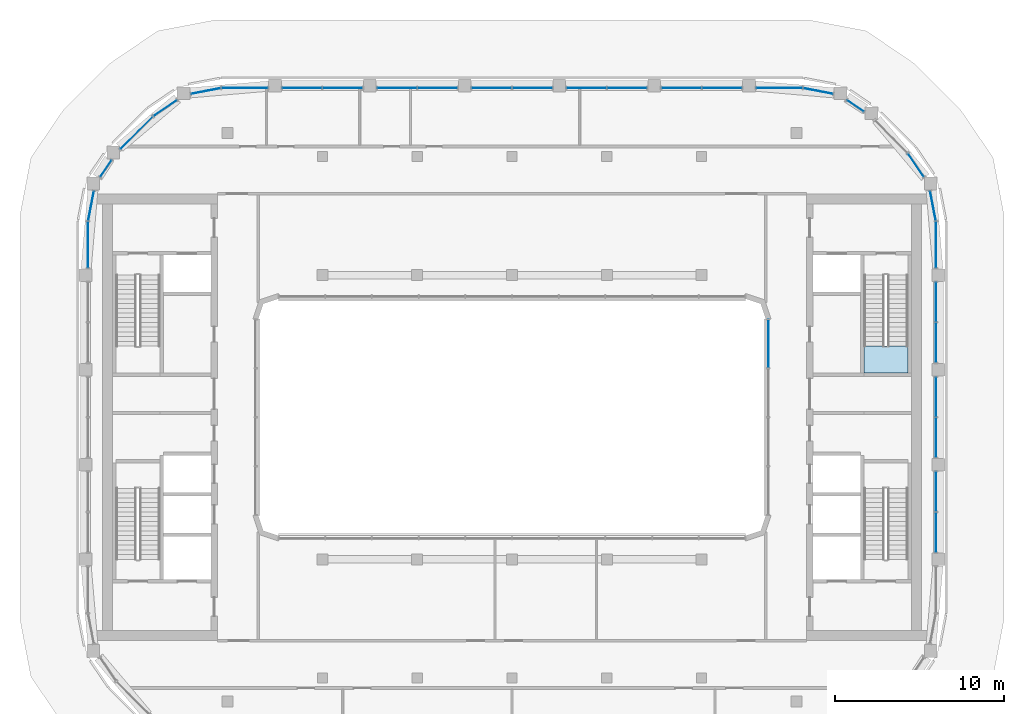
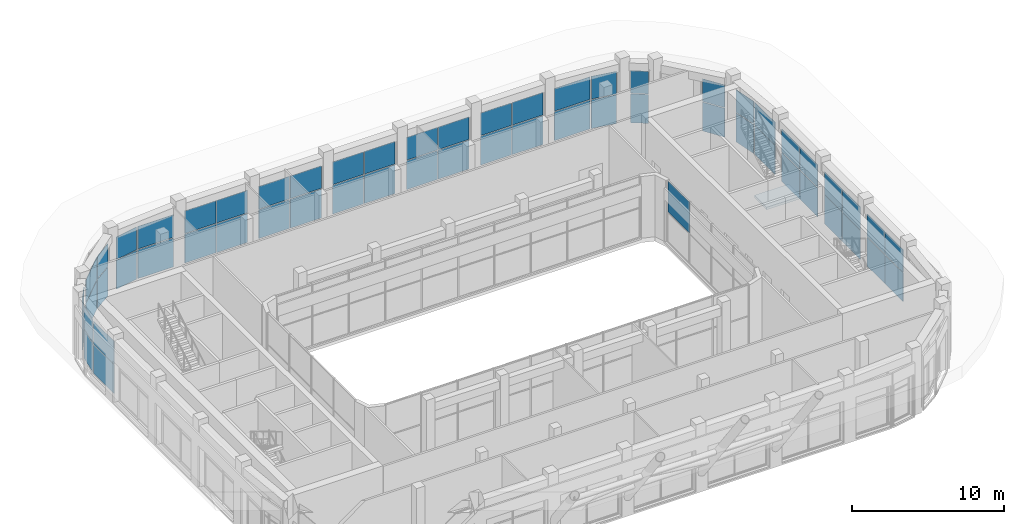
# One storey, part 13 of 24: 59 plates, 1 slab, 23 elements without a shape of their own.
"""IFC4 building model written with IfcOpenShell, lengths in metres."""

from ifc_helpers import new_model, si_unit, direction, frame, origin, origin_2d, place, context, subcontext, project, spatial, polyline, rectangle, outline, extrude, material, layer, layer_set, type_object, element, aggregate, save


model = new_model("IFC4")

# Units and contexts
model_context = context("Model", 3, precision=1e-05, world=origin(), true_north=direction((0.0, 1.0)))
body_context = subcontext(model_context, "Body", "Model", "MODEL_VIEW")
ifc_project = project(units=[si_unit("LENGTHUNIT", "METRE"), si_unit("AREAUNIT", "SQUARE_METRE"), si_unit("VOLUMEUNIT", "CUBIC_METRE"), si_unit("PLANEANGLEUNIT", "RADIAN"), si_unit("MASSUNIT", "GRAM", prefix="KILO")], contexts=[model_context])

# Site, building, storey
site_placement = place(None, origin())
site = spatial("IfcSite", under=ifc_project, at=site_placement, CompositionType="ELEMENT")
building_placement = place(site_placement, origin())
building = spatial("IfcBuilding", under=site, at=building_placement, Name="Kiln Ring Residences", CompositionType="ELEMENT")
storey_placement = place(building_placement, frame((0.0, 0.0, 283.699951171875)))
storey = spatial("IfcBuildingStorey", under=building, at=storey_placement, Name="L74", CompositionType="ELEMENT", Elevation=283.699951171875)

# Stair, slab
ifc_material_1 = material(Name="Concrete C40/50", Category="concrete")
stair_type = type_object("IfcStairType", Name="CORE-STAIR", PredefinedType="HALF_TURN_STAIR", material=ifc_material_1)
placement = place(storey_placement, origin())
stair = element("IfcStair", 1, at=placement, inside=storey, type_object=stair_type, Name="L74 stair E-STN", PredefinedType="HALF_TURN_STAIR")
ifc_material_2 = material(Name="Concrete C40/50", Category="concrete")
ifc_layer_1 = layer(ifc_material_2, 0.199951171875)
ifc_layer_set_1 = layer_set([ifc_layer_1], Name="CORE-STAIR-LANDING")
slab_type = type_object("IfcSlabType", Name="CORE-STAIR-LANDING", PredefinedType="LANDING", material=ifc_layer_set_1)
slab_placement = place(storey_placement, frame((0.0, 0.0, 2.5)))
slab = element("IfcSlab", 2, at=slab_placement, type_object=slab_type, Name="E-STN landing 1", PredefinedType="LANDING", context=body_context, shape_type="SweptSolid", body=[
    extrude(outline(polyline([(20.800048828125, 4.199951171875), (20.800048828125, 2.60009765625), (23.39990234375, 2.60009765625), (23.39990234375, 4.199951171875), (20.800048828125, 4.199951171875)])), origin(), (0.0, 0.0, 1.0), 0.199951171875),
])
aggregate(stair, [slab])

# Curtain wall, plates
ifc_material_3 = material(Name="Aluminium and glass", Category="aluminium")
ifc_layer_2 = layer(ifc_material_3, 0.199951171875)
ifc_layer_set_2 = layer_set([ifc_layer_2], Name="CW1 CURTAIN WALL")
curtain_wall_type_1 = type_object("IfcCurtainWallType", Name="CW1 CURTAIN WALL", PredefinedType="NOTDEFINED", material=ifc_layer_set_2)
curtain_wall_1 = element("IfcCurtainWall", 3, at=placement, inside=storey, type_object=curtain_wall_type_1, Name="Curtain wall CW1 L74", PredefinedType="NOTDEFINED")
ifc_material_4 = material(Name="Glass, low-e laminated", Category="glass")
ifc_layer_3 = layer(ifc_material_4, 0.028076171875)
ifc_layer_set_3 = layer_set([ifc_layer_3], Name="CW1 PANEL 28")
plate_type_1 = type_object("IfcPlateType", Name="CW1 PANEL 28", PredefinedType="CURTAIN_PANEL", material=ifc_layer_set_3)
plate_1_placement = place(storey_placement, frame((25.050048828125, -6.797607421875, 0.06005859375), z_axis=(0.0, 0.0, 1.0), x_axis=(0.0, 1.0, 0.0)))
plate_1 = element("IfcPlate", 4, at=plate_1_placement, type_object=plate_type_1, Name="CW1 panel 1.1", PredefinedType="CURTAIN_PANEL", context=body_context, shape_type="SweptSolid", body=[
    extrude(rectangle(XDim=2.3349609375, YDim=0.028076171875, at=origin_2d()), origin(), (0.0, 0.0, 1.0), 2.31005859375),
])
plate_2_placement = place(storey_placement, frame((25.050048828125, -6.797607421875, 2.429931640625), z_axis=(0.0, 0.0, 1.0), x_axis=(0.0, 1.0, 0.0)))
plate_2 = element("IfcPlate", 5, at=plate_2_placement, type_object=plate_type_1, Name="CW1 panel 1.2", PredefinedType="CURTAIN_PANEL", context=body_context, shape_type="SweptSolid", body=[
    extrude(rectangle(XDim=2.3349609375, YDim=0.028076171875, at=origin_2d()), origin(), (0.0, 0.0, 1.0), 1.81005859375),
])
plate_3_placement = place(storey_placement, frame((25.050048828125, -4.402587890625, 0.06005859375), z_axis=(0.0, 0.0, 1.0), x_axis=(0.0, 1.0, 0.0)))
plate_3 = element("IfcPlate", 6, at=plate_3_placement, type_object=plate_type_1, Name="CW1 panel 2.1", PredefinedType="CURTAIN_PANEL", context=body_context, shape_type="SweptSolid", body=[
    extrude(rectangle(XDim=2.3349609375, YDim=0.028076171875, at=origin_2d()), origin(), (0.0, 0.0, 1.0), 2.31005859375),
])
plate_4_placement = place(storey_placement, frame((25.050048828125, -4.402587890625, 2.429931640625), z_axis=(0.0, 0.0, 1.0), x_axis=(0.0, 1.0, 0.0)))
plate_4 = element("IfcPlate", 7, at=plate_4_placement, type_object=plate_type_1, Name="CW1 panel 2.2", PredefinedType="CURTAIN_PANEL", context=body_context, shape_type="SweptSolid", body=[
    extrude(rectangle(XDim=2.3349609375, YDim=0.028076171875, at=origin_2d()), origin(), (0.0, 0.0, 1.0), 1.81005859375),
])
aggregate(curtain_wall_1, [plate_1, plate_2, plate_3, plate_4])

curtain_wall_2 = element("IfcCurtainWall", 8, at=placement, inside=storey, type_object=curtain_wall_type_1, Name="Curtain wall CW1 L74", PredefinedType="NOTDEFINED")
plate_5_placement = place(storey_placement, frame((25.050048828125, -1.197509765625, 0.06005859375), z_axis=(0.0, 0.0, 1.0), x_axis=(0.0, 1.0, 0.0)))
plate_5 = element("IfcPlate", 9, at=plate_5_placement, type_object=plate_type_1, Name="CW1 panel 1.1", PredefinedType="CURTAIN_PANEL", context=body_context, shape_type="SweptSolid", body=[
    extrude(rectangle(XDim=2.3349609375, YDim=0.028076171875, at=origin_2d()), origin(), (0.0, 0.0, 1.0), 2.31005859375),
])
plate_6_placement = place(storey_placement, frame((25.050048828125, -1.197509765625, 2.429931640625), z_axis=(0.0, 0.0, 1.0), x_axis=(0.0, 1.0, 0.0)))
plate_6 = element("IfcPlate", 10, at=plate_6_placement, type_object=plate_type_1, Name="CW1 panel 1.2", PredefinedType="CURTAIN_PANEL", context=body_context, shape_type="SweptSolid", body=[
    extrude(rectangle(XDim=2.3349609375, YDim=0.028076171875, at=origin_2d()), origin(), (0.0, 0.0, 1.0), 1.81005859375),
])
plate_7_placement = place(storey_placement, frame((25.050048828125, 1.197509765625, 0.06005859375), z_axis=(0.0, 0.0, 1.0), x_axis=(0.0, 1.0, 0.0)))
plate_7 = element("IfcPlate", 11, at=plate_7_placement, type_object=plate_type_1, Name="CW1 panel 2.1", PredefinedType="CURTAIN_PANEL", context=body_context, shape_type="SweptSolid", body=[
    extrude(rectangle(XDim=2.3349609375, YDim=0.028076171875, at=origin_2d()), origin(), (0.0, 0.0, 1.0), 2.31005859375),
])
plate_8_placement = place(storey_placement, frame((25.050048828125, 1.197509765625, 2.429931640625), z_axis=(0.0, 0.0, 1.0), x_axis=(0.0, 1.0, 0.0)))
plate_8 = element("IfcPlate", 12, at=plate_8_placement, type_object=plate_type_1, Name="CW1 panel 2.2", PredefinedType="CURTAIN_PANEL", context=body_context, shape_type="SweptSolid", body=[
    extrude(rectangle(XDim=2.3349609375, YDim=0.028076171875, at=origin_2d()), origin(), (0.0, 0.0, 1.0), 1.81005859375),
])
aggregate(curtain_wall_2, [plate_5, plate_6, plate_7, plate_8])

curtain_wall_3 = element("IfcCurtainWall", 13, at=placement, inside=storey, type_object=curtain_wall_type_1, Name="Curtain wall CW1 L74", PredefinedType="NOTDEFINED")
plate_9_placement = place(storey_placement, frame((25.050048828125, 4.402587890625, 0.06005859375), z_axis=(0.0, 0.0, 1.0), x_axis=(0.0, 1.0, 0.0)))
plate_9 = element("IfcPlate", 14, at=plate_9_placement, type_object=plate_type_1, Name="CW1 panel 1.1", PredefinedType="CURTAIN_PANEL", context=body_context, shape_type="SweptSolid", body=[
    extrude(rectangle(XDim=2.3349609375, YDim=0.028076171875, at=origin_2d()), origin(), (0.0, 0.0, 1.0), 2.31005859375),
])
plate_10_placement = place(storey_placement, frame((25.050048828125, 4.402587890625, 2.429931640625), z_axis=(0.0, 0.0, 1.0), x_axis=(0.0, 1.0, 0.0)))
plate_10 = element("IfcPlate", 15, at=plate_10_placement, type_object=plate_type_1, Name="CW1 panel 1.2", PredefinedType="CURTAIN_PANEL", context=body_context, shape_type="SweptSolid", body=[
    extrude(rectangle(XDim=2.3349609375, YDim=0.028076171875, at=origin_2d()), origin(), (0.0, 0.0, 1.0), 1.81005859375),
])
plate_11_placement = place(storey_placement, frame((25.050048828125, 6.797607421875, 0.06005859375), z_axis=(0.0, 0.0, 1.0), x_axis=(0.0, 1.0, 0.0)))
plate_11 = element("IfcPlate", 16, at=plate_11_placement, type_object=plate_type_1, Name="CW1 panel 2.1", PredefinedType="CURTAIN_PANEL", context=body_context, shape_type="SweptSolid", body=[
    extrude(rectangle(XDim=2.3349609375, YDim=0.028076171875, at=origin_2d()), origin(), (0.0, 0.0, 1.0), 2.31005859375),
])
plate_12_placement = place(storey_placement, frame((25.050048828125, 6.797607421875, 2.429931640625), z_axis=(0.0, 0.0, 1.0), x_axis=(0.0, 1.0, 0.0)))
plate_12 = element("IfcPlate", 17, at=plate_12_placement, type_object=plate_type_1, Name="CW1 panel 2.2", PredefinedType="CURTAIN_PANEL", context=body_context, shape_type="SweptSolid", body=[
    extrude(rectangle(XDim=2.3349609375, YDim=0.028076171875, at=origin_2d()), origin(), (0.0, 0.0, 1.0), 1.81005859375),
])
aggregate(curtain_wall_3, [plate_9, plate_10, plate_11, plate_12])

curtain_wall_4 = element("IfcCurtainWall", 18, at=placement, inside=storey, type_object=curtain_wall_type_1, Name="Curtain wall CW1 L74", PredefinedType="NOTDEFINED")
plate_13_placement = place(storey_placement, frame((25.050048828125, 10.1875, 0.06005859375), z_axis=(0.0, 0.0, 1.0), x_axis=(0.0, 1.0, 0.0)))
plate_13 = element("IfcPlate", 19, at=plate_13_placement, type_object=plate_type_1, Name="CW1 panel 1.1", PredefinedType="CURTAIN_PANEL", context=body_context, shape_type="SweptSolid", body=[
    extrude(rectangle(XDim=2.705078125, YDim=0.028076171875, at=origin_2d()), origin(), (0.0, 0.0, 1.0), 2.31005859375),
])
plate_14_placement = place(storey_placement, frame((25.050048828125, 10.1875, 2.429931640625), z_axis=(0.0, 0.0, 1.0), x_axis=(0.0, 1.0, 0.0)))
plate_14 = element("IfcPlate", 20, at=plate_14_placement, type_object=plate_type_1, Name="CW1 panel 1.2", PredefinedType="CURTAIN_PANEL", context=body_context, shape_type="SweptSolid", body=[
    extrude(rectangle(XDim=2.705078125, YDim=0.028076171875, at=origin_2d()), origin(), (0.0, 0.0, 1.0), 1.81005859375),
])
aggregate(curtain_wall_4, [plate_13, plate_14])

curtain_wall_5 = element("IfcCurtainWall", 21, at=placement, inside=storey, type_object=curtain_wall_type_1, Name="Curtain wall CW1 L74", PredefinedType="NOTDEFINED")
plate_15_placement = place(storey_placement, frame((24.87646484375, 12.495849609375, 0.06005859375), z_axis=(0.0, 0.0, 1.0), x_axis=(-0.187365550364, 0.982290257784, 0.0)))
plate_15 = element("IfcPlate", 22, at=plate_15_placement, type_object=plate_type_1, Name="CW1 panel 1.1", PredefinedType="CURTAIN_PANEL", context=body_context, shape_type="SweptSolid", body=[
    extrude(rectangle(XDim=1.76123046875, YDim=0.028076171875, at=origin_2d()), origin(), (0.0, 0.0, 1.0), 2.31005859375),
])
plate_16_placement = place(storey_placement, frame((24.87646484375, 12.495849609375, 2.429931640625), z_axis=(0.0, 0.0, 1.0), x_axis=(-0.187365550364, 0.982290257784, 0.0)))
plate_16 = element("IfcPlate", 23, at=plate_16_placement, type_object=plate_type_1, Name="CW1 panel 1.2", PredefinedType="CURTAIN_PANEL", context=body_context, shape_type="SweptSolid", body=[
    extrude(rectangle(XDim=1.76123046875, YDim=0.028076171875, at=origin_2d()), origin(), (0.0, 0.0, 1.0), 1.81005859375),
])
aggregate(curtain_wall_5, [plate_15, plate_16])

curtain_wall_6 = element("IfcCurtainWall", 24, at=placement, inside=storey, type_object=curtain_wall_type_1, Name="Curtain wall CW1 L74", PredefinedType="NOTDEFINED")
plate_17_placement = place(storey_placement, frame((23.87109375, 14.888671875, 0.06005859375), z_axis=(0.0, 0.0, 1.0), x_axis=(-0.562096651134, 0.827071553606, 0.0)))
plate_17 = element("IfcPlate", 25, at=plate_17_placement, type_object=plate_type_1, Name="CW1 panel 1.1", PredefinedType="CURTAIN_PANEL", context=body_context, shape_type="SweptSolid", body=[
    extrude(rectangle(XDim=1.630859375, YDim=0.028076171875, at=origin_2d()), origin(), (0.0, 0.0, 1.0), 2.31005859375),
])
plate_18_placement = place(storey_placement, frame((23.87109375, 14.888671875, 2.429931640625), z_axis=(0.0, 0.0, 1.0), x_axis=(-0.562096651134, 0.827071553606, 0.0)))
plate_18 = element("IfcPlate", 26, at=plate_18_placement, type_object=plate_type_1, Name="CW1 panel 1.2", PredefinedType="CURTAIN_PANEL", context=body_context, shape_type="SweptSolid", body=[
    extrude(rectangle(XDim=1.630859375, YDim=0.028076171875, at=origin_2d()), origin(), (0.0, 0.0, 1.0), 1.81005859375),
])
aggregate(curtain_wall_6, [plate_17, plate_18])

curtain_wall_7 = element("IfcCurtainWall", 27, at=placement, inside=storey, type_object=curtain_wall_type_1, Name="Curtain wall CW1 L74", PredefinedType="NOTDEFINED")
plate_19_placement = place(storey_placement, frame((20.301025390625, 18.398681640625, 0.06005859375), z_axis=(0.0, 0.0, 1.0), x_axis=(-0.827071553674, 0.562096651033, 0.0)))
plate_19 = element("IfcPlate", 28, at=plate_19_placement, type_object=plate_type_1, Name="CW1 panel 1.1", PredefinedType="CURTAIN_PANEL", context=body_context, shape_type="SweptSolid", body=[
    extrude(rectangle(XDim=1.177001953125, YDim=0.028076171875, at=origin_2d()), origin(), (0.0, 0.0, 1.0), 2.31005859375),
])
plate_20_placement = place(storey_placement, frame((20.301025390625, 18.398681640625, 2.429931640625), z_axis=(0.0, 0.0, 1.0), x_axis=(-0.827071553674, 0.562096651033, 0.0)))
plate_20 = element("IfcPlate", 29, at=plate_20_placement, type_object=plate_type_1, Name="CW1 panel 1.2", PredefinedType="CURTAIN_PANEL", context=body_context, shape_type="SweptSolid", body=[
    extrude(rectangle(XDim=1.177001953125, YDim=0.028076171875, at=origin_2d()), origin(), (0.0, 0.0, 1.0), 1.81005859375),
])
aggregate(curtain_wall_7, [plate_19, plate_20])

curtain_wall_8 = element("IfcCurtainWall", 30, at=placement, inside=storey, type_object=curtain_wall_type_1, Name="Curtain wall CW1 L74", PredefinedType="NOTDEFINED")
plate_21_placement = place(storey_placement, frame((18.095703125, 19.2763671875, 0.06005859375), z_axis=(0.0, 0.0, 1.0), x_axis=(-0.982290257784, 0.187365550364, 0.0)))
plate_21 = element("IfcPlate", 31, at=plate_21_placement, type_object=plate_type_1, Name="CW1 panel 1.1", PredefinedType="CURTAIN_PANEL", context=body_context, shape_type="SweptSolid", body=[
    extrude(rectangle(XDim=1.76123046875, YDim=0.028076171875, at=origin_2d()), origin(), (0.0, 0.0, 1.0), 2.31005859375),
])
plate_22_placement = place(storey_placement, frame((18.095703125, 19.2763671875, 2.429931640625), z_axis=(0.0, 0.0, 1.0), x_axis=(-0.982290257784, 0.187365550364, 0.0)))
plate_22 = element("IfcPlate", 32, at=plate_22_placement, type_object=plate_type_1, Name="CW1 panel 1.2", PredefinedType="CURTAIN_PANEL", context=body_context, shape_type="SweptSolid", body=[
    extrude(rectangle(XDim=1.76123046875, YDim=0.028076171875, at=origin_2d()), origin(), (0.0, 0.0, 1.0), 1.81005859375),
])
aggregate(curtain_wall_8, [plate_21, plate_22])

curtain_wall_9 = element("IfcCurtainWall", 33, at=placement, inside=storey, type_object=curtain_wall_type_1, Name="Curtain wall CW1 L74", PredefinedType="NOTDEFINED")
plate_23_placement = place(storey_placement, frame((15.78759765625, 19.449951171875, 0.06005859375), z_axis=(0.0, 0.0, 1.0), x_axis=(-1.0, 0.0, 0.0)))
plate_23 = element("IfcPlate", 34, at=plate_23_placement, type_object=plate_type_1, Name="CW1 panel 1.1", PredefinedType="CURTAIN_PANEL", context=body_context, shape_type="SweptSolid", body=[
    extrude(rectangle(XDim=2.705078125, YDim=0.028076171875, at=origin_2d()), origin(), (0.0, 0.0, 1.0), 2.31005859375),
])
plate_24_placement = place(storey_placement, frame((15.78759765625, 19.449951171875, 2.429931640625), z_axis=(0.0, 0.0, 1.0), x_axis=(-1.0, 0.0, 0.0)))
plate_24 = element("IfcPlate", 35, at=plate_24_placement, type_object=plate_type_1, Name="CW1 panel 1.2", PredefinedType="CURTAIN_PANEL", context=body_context, shape_type="SweptSolid", body=[
    extrude(rectangle(XDim=2.705078125, YDim=0.028076171875, at=origin_2d()), origin(), (0.0, 0.0, 1.0), 1.81005859375),
])
aggregate(curtain_wall_9, [plate_23, plate_24])

curtain_wall_10 = element("IfcCurtainWall", 36, at=placement, inside=storey, type_object=curtain_wall_type_1, Name="Curtain wall CW1 L74", PredefinedType="NOTDEFINED")
plate_25_placement = place(storey_placement, frame((12.3974609375, 19.449951171875, 0.06005859375), z_axis=(0.0, 0.0, 1.0), x_axis=(-1.0, 0.0, 0.0)))
plate_25 = element("IfcPlate", 37, at=plate_25_placement, type_object=plate_type_1, Name="CW1 panel 1.1", PredefinedType="CURTAIN_PANEL", context=body_context, shape_type="SweptSolid", body=[
    extrude(rectangle(XDim=2.3349609375, YDim=0.028076171875, at=origin_2d()), origin(), (0.0, 0.0, 1.0), 2.31005859375),
])
plate_26_placement = place(storey_placement, frame((12.3974609375, 19.449951171875, 2.429931640625), z_axis=(0.0, 0.0, 1.0), x_axis=(-1.0, 0.0, 0.0)))
plate_26 = element("IfcPlate", 38, at=plate_26_placement, type_object=plate_type_1, Name="CW1 panel 1.2", PredefinedType="CURTAIN_PANEL", context=body_context, shape_type="SweptSolid", body=[
    extrude(rectangle(XDim=2.3349609375, YDim=0.028076171875, at=origin_2d()), origin(), (0.0, 0.0, 1.0), 1.81005859375),
])
plate_27_placement = place(storey_placement, frame((10.00244140625, 19.449951171875, 0.06005859375), z_axis=(0.0, 0.0, 1.0), x_axis=(-1.0, 0.0, 0.0)))
plate_27 = element("IfcPlate", 39, at=plate_27_placement, type_object=plate_type_1, Name="CW1 panel 2.1", PredefinedType="CURTAIN_PANEL", context=body_context, shape_type="SweptSolid", body=[
    extrude(rectangle(XDim=2.3349609375, YDim=0.028076171875, at=origin_2d()), origin(), (0.0, 0.0, 1.0), 2.31005859375),
])
plate_28_placement = place(storey_placement, frame((10.00244140625, 19.449951171875, 2.429931640625), z_axis=(0.0, 0.0, 1.0), x_axis=(-1.0, 0.0, 0.0)))
plate_28 = element("IfcPlate", 40, at=plate_28_placement, type_object=plate_type_1, Name="CW1 panel 2.2", PredefinedType="CURTAIN_PANEL", context=body_context, shape_type="SweptSolid", body=[
    extrude(rectangle(XDim=2.3349609375, YDim=0.028076171875, at=origin_2d()), origin(), (0.0, 0.0, 1.0), 1.81005859375),
])
aggregate(curtain_wall_10, [plate_25, plate_26, plate_27, plate_28])

curtain_wall_11 = element("IfcCurtainWall", 41, at=placement, inside=storey, type_object=curtain_wall_type_1, Name="Curtain wall CW1 L74", PredefinedType="NOTDEFINED")
plate_29_placement = place(storey_placement, frame((6.797607421875, 19.449951171875, 0.06005859375), z_axis=(0.0, 0.0, 1.0), x_axis=(-1.0, 0.0, 0.0)))
plate_29 = element("IfcPlate", 42, at=plate_29_placement, type_object=plate_type_1, Name="CW1 panel 1.1", PredefinedType="CURTAIN_PANEL", context=body_context, shape_type="SweptSolid", body=[
    extrude(rectangle(XDim=2.3349609375, YDim=0.028076171875, at=origin_2d()), origin(), (0.0, 0.0, 1.0), 2.31005859375),
])
plate_30_placement = place(storey_placement, frame((6.797607421875, 19.449951171875, 2.429931640625), z_axis=(0.0, 0.0, 1.0), x_axis=(-1.0, 0.0, 0.0)))
plate_30 = element("IfcPlate", 43, at=plate_30_placement, type_object=plate_type_1, Name="CW1 panel 1.2", PredefinedType="CURTAIN_PANEL", context=body_context, shape_type="SweptSolid", body=[
    extrude(rectangle(XDim=2.3349609375, YDim=0.028076171875, at=origin_2d()), origin(), (0.0, 0.0, 1.0), 1.81005859375),
])
plate_31_placement = place(storey_placement, frame((4.402587890625, 19.449951171875, 0.06005859375), z_axis=(0.0, 0.0, 1.0), x_axis=(-1.0, 0.0, 0.0)))
plate_31 = element("IfcPlate", 44, at=plate_31_placement, type_object=plate_type_1, Name="CW1 panel 2.1", PredefinedType="CURTAIN_PANEL", context=body_context, shape_type="SweptSolid", body=[
    extrude(rectangle(XDim=2.3349609375, YDim=0.028076171875, at=origin_2d()), origin(), (0.0, 0.0, 1.0), 2.31005859375),
])
plate_32_placement = place(storey_placement, frame((4.402587890625, 19.449951171875, 2.429931640625), z_axis=(0.0, 0.0, 1.0), x_axis=(-1.0, 0.0, 0.0)))
plate_32 = element("IfcPlate", 45, at=plate_32_placement, type_object=plate_type_1, Name="CW1 panel 2.2", PredefinedType="CURTAIN_PANEL", context=body_context, shape_type="SweptSolid", body=[
    extrude(rectangle(XDim=2.3349609375, YDim=0.028076171875, at=origin_2d()), origin(), (0.0, 0.0, 1.0), 1.81005859375),
])
aggregate(curtain_wall_11, [plate_29, plate_30, plate_31, plate_32])

curtain_wall_12 = element("IfcCurtainWall", 46, at=placement, inside=storey, type_object=curtain_wall_type_1, Name="Curtain wall CW1 L74", PredefinedType="NOTDEFINED")
plate_33_placement = place(storey_placement, frame((1.197509765625, 19.449951171875, 0.06005859375), z_axis=(0.0, 0.0, 1.0), x_axis=(-1.0, 0.0, 0.0)))
plate_33 = element("IfcPlate", 47, at=plate_33_placement, type_object=plate_type_1, Name="CW1 panel 1.1", PredefinedType="CURTAIN_PANEL", context=body_context, shape_type="SweptSolid", body=[
    extrude(rectangle(XDim=2.3349609375, YDim=0.028076171875, at=origin_2d()), origin(), (0.0, 0.0, 1.0), 2.31005859375),
])
plate_34_placement = place(storey_placement, frame((1.197509765625, 19.449951171875, 2.429931640625), z_axis=(0.0, 0.0, 1.0), x_axis=(-1.0, 0.0, 0.0)))
plate_34 = element("IfcPlate", 48, at=plate_34_placement, type_object=plate_type_1, Name="CW1 panel 1.2", PredefinedType="CURTAIN_PANEL", context=body_context, shape_type="SweptSolid", body=[
    extrude(rectangle(XDim=2.3349609375, YDim=0.028076171875, at=origin_2d()), origin(), (0.0, 0.0, 1.0), 1.81005859375),
])
plate_35_placement = place(storey_placement, frame((-1.197509765625, 19.449951171875, 0.06005859375), z_axis=(0.0, 0.0, 1.0), x_axis=(-1.0, 0.0, 0.0)))
plate_35 = element("IfcPlate", 49, at=plate_35_placement, type_object=plate_type_1, Name="CW1 panel 2.1", PredefinedType="CURTAIN_PANEL", context=body_context, shape_type="SweptSolid", body=[
    extrude(rectangle(XDim=2.3349609375, YDim=0.028076171875, at=origin_2d()), origin(), (0.0, 0.0, 1.0), 2.31005859375),
])
plate_36_placement = place(storey_placement, frame((-1.197509765625, 19.449951171875, 2.429931640625), z_axis=(0.0, 0.0, 1.0), x_axis=(-1.0, 0.0, 0.0)))
plate_36 = element("IfcPlate", 50, at=plate_36_placement, type_object=plate_type_1, Name="CW1 panel 2.2", PredefinedType="CURTAIN_PANEL", context=body_context, shape_type="SweptSolid", body=[
    extrude(rectangle(XDim=2.3349609375, YDim=0.028076171875, at=origin_2d()), origin(), (0.0, 0.0, 1.0), 1.81005859375),
])
aggregate(curtain_wall_12, [plate_33, plate_34, plate_35, plate_36])

curtain_wall_13 = element("IfcCurtainWall", 51, at=placement, inside=storey, type_object=curtain_wall_type_1, Name="Curtain wall CW1 L74", PredefinedType="NOTDEFINED")
plate_37_placement = place(storey_placement, frame((-4.402587890625, 19.449951171875, 0.06005859375), z_axis=(0.0, 0.0, 1.0), x_axis=(-1.0, 0.0, 0.0)))
plate_37 = element("IfcPlate", 52, at=plate_37_placement, type_object=plate_type_1, Name="CW1 panel 1.1", PredefinedType="CURTAIN_PANEL", context=body_context, shape_type="SweptSolid", body=[
    extrude(rectangle(XDim=2.3349609375, YDim=0.028076171875, at=origin_2d()), origin(), (0.0, 0.0, 1.0), 2.31005859375),
])
plate_38_placement = place(storey_placement, frame((-4.402587890625, 19.449951171875, 2.429931640625), z_axis=(0.0, 0.0, 1.0), x_axis=(-1.0, 0.0, 0.0)))
plate_38 = element("IfcPlate", 53, at=plate_38_placement, type_object=plate_type_1, Name="CW1 panel 1.2", PredefinedType="CURTAIN_PANEL", context=body_context, shape_type="SweptSolid", body=[
    extrude(rectangle(XDim=2.3349609375, YDim=0.028076171875, at=origin_2d()), origin(), (0.0, 0.0, 1.0), 1.81005859375),
])
plate_39_placement = place(storey_placement, frame((-6.797607421875, 19.449951171875, 0.06005859375), z_axis=(0.0, 0.0, 1.0), x_axis=(-1.0, 0.0, 0.0)))
plate_39 = element("IfcPlate", 54, at=plate_39_placement, type_object=plate_type_1, Name="CW1 panel 2.1", PredefinedType="CURTAIN_PANEL", context=body_context, shape_type="SweptSolid", body=[
    extrude(rectangle(XDim=2.3349609375, YDim=0.028076171875, at=origin_2d()), origin(), (0.0, 0.0, 1.0), 2.31005859375),
])
plate_40_placement = place(storey_placement, frame((-6.797607421875, 19.449951171875, 2.429931640625), z_axis=(0.0, 0.0, 1.0), x_axis=(-1.0, 0.0, 0.0)))
plate_40 = element("IfcPlate", 55, at=plate_40_placement, type_object=plate_type_1, Name="CW1 panel 2.2", PredefinedType="CURTAIN_PANEL", context=body_context, shape_type="SweptSolid", body=[
    extrude(rectangle(XDim=2.3349609375, YDim=0.028076171875, at=origin_2d()), origin(), (0.0, 0.0, 1.0), 1.81005859375),
])
aggregate(curtain_wall_13, [plate_37, plate_38, plate_39, plate_40])

curtain_wall_14 = element("IfcCurtainWall", 56, at=placement, inside=storey, type_object=curtain_wall_type_1, Name="Curtain wall CW1 L74", PredefinedType="NOTDEFINED")
plate_41_placement = place(storey_placement, frame((-10.00244140625, 19.449951171875, 0.06005859375), z_axis=(0.0, 0.0, 1.0), x_axis=(-1.0, 0.0, 0.0)))
plate_41 = element("IfcPlate", 57, at=plate_41_placement, type_object=plate_type_1, Name="CW1 panel 1.1", PredefinedType="CURTAIN_PANEL", context=body_context, shape_type="SweptSolid", body=[
    extrude(rectangle(XDim=2.3349609375, YDim=0.028076171875, at=origin_2d()), origin(), (0.0, 0.0, 1.0), 2.31005859375),
])
plate_42_placement = place(storey_placement, frame((-10.00244140625, 19.449951171875, 2.429931640625), z_axis=(0.0, 0.0, 1.0), x_axis=(-1.0, 0.0, 0.0)))
plate_42 = element("IfcPlate", 58, at=plate_42_placement, type_object=plate_type_1, Name="CW1 panel 1.2", PredefinedType="CURTAIN_PANEL", context=body_context, shape_type="SweptSolid", body=[
    extrude(rectangle(XDim=2.3349609375, YDim=0.028076171875, at=origin_2d()), origin(), (0.0, 0.0, 1.0), 1.81005859375),
])
plate_43_placement = place(storey_placement, frame((-12.3974609375, 19.449951171875, 0.06005859375), z_axis=(0.0, 0.0, 1.0), x_axis=(-1.0, 0.0, 0.0)))
plate_43 = element("IfcPlate", 59, at=plate_43_placement, type_object=plate_type_1, Name="CW1 panel 2.1", PredefinedType="CURTAIN_PANEL", context=body_context, shape_type="SweptSolid", body=[
    extrude(rectangle(XDim=2.3349609375, YDim=0.028076171875, at=origin_2d()), origin(), (0.0, 0.0, 1.0), 2.31005859375),
])
plate_44_placement = place(storey_placement, frame((-12.3974609375, 19.449951171875, 2.429931640625), z_axis=(0.0, 0.0, 1.0), x_axis=(-1.0, 0.0, 0.0)))
plate_44 = element("IfcPlate", 60, at=plate_44_placement, type_object=plate_type_1, Name="CW1 panel 2.2", PredefinedType="CURTAIN_PANEL", context=body_context, shape_type="SweptSolid", body=[
    extrude(rectangle(XDim=2.3349609375, YDim=0.028076171875, at=origin_2d()), origin(), (0.0, 0.0, 1.0), 1.81005859375),
])
aggregate(curtain_wall_14, [plate_41, plate_42, plate_43, plate_44])

curtain_wall_15 = element("IfcCurtainWall", 61, at=placement, inside=storey, type_object=curtain_wall_type_1, Name="Curtain wall CW1 L74", PredefinedType="NOTDEFINED")
plate_45_placement = place(storey_placement, frame((-15.78759765625, 19.449951171875, 0.06005859375), z_axis=(0.0, 0.0, 1.0), x_axis=(-1.0, 0.0, 0.0)))
plate_45 = element("IfcPlate", 62, at=plate_45_placement, type_object=plate_type_1, Name="CW1 panel 1.1", PredefinedType="CURTAIN_PANEL", context=body_context, shape_type="SweptSolid", body=[
    extrude(rectangle(XDim=2.705078125, YDim=0.028076171875, at=origin_2d()), origin(), (0.0, 0.0, 1.0), 2.31005859375),
])
plate_46_placement = place(storey_placement, frame((-15.78759765625, 19.449951171875, 2.429931640625), z_axis=(0.0, 0.0, 1.0), x_axis=(-1.0, 0.0, 0.0)))
plate_46 = element("IfcPlate", 63, at=plate_46_placement, type_object=plate_type_1, Name="CW1 panel 1.2", PredefinedType="CURTAIN_PANEL", context=body_context, shape_type="SweptSolid", body=[
    extrude(rectangle(XDim=2.705078125, YDim=0.028076171875, at=origin_2d()), origin(), (0.0, 0.0, 1.0), 1.81005859375),
])
aggregate(curtain_wall_15, [plate_45, plate_46])

curtain_wall_16 = element("IfcCurtainWall", 64, at=placement, inside=storey, type_object=curtain_wall_type_1, Name="Curtain wall CW1 L74", PredefinedType="NOTDEFINED")
plate_47_placement = place(storey_placement, frame((-18.095703125, 19.2763671875, 0.06005859375), z_axis=(0.0, 0.0, 1.0), x_axis=(-0.982290257784, -0.187365550364, 0.0)))
plate_47 = element("IfcPlate", 65, at=plate_47_placement, type_object=plate_type_1, Name="CW1 panel 1.1", PredefinedType="CURTAIN_PANEL", context=body_context, shape_type="SweptSolid", body=[
    extrude(rectangle(XDim=1.76123046875, YDim=0.028076171875, at=origin_2d()), origin(), (0.0, 0.0, 1.0), 2.31005859375),
])
plate_48_placement = place(storey_placement, frame((-18.095703125, 19.2763671875, 2.429931640625), z_axis=(0.0, 0.0, 1.0), x_axis=(-0.982290257784, -0.187365550364, 0.0)))
plate_48 = element("IfcPlate", 66, at=plate_48_placement, type_object=plate_type_1, Name="CW1 panel 1.2", PredefinedType="CURTAIN_PANEL", context=body_context, shape_type="SweptSolid", body=[
    extrude(rectangle(XDim=1.76123046875, YDim=0.028076171875, at=origin_2d()), origin(), (0.0, 0.0, 1.0), 1.81005859375),
])
aggregate(curtain_wall_16, [plate_47, plate_48])

curtain_wall_17 = element("IfcCurtainWall", 67, at=placement, inside=storey, type_object=curtain_wall_type_1, Name="Curtain wall CW1 L74", PredefinedType="NOTDEFINED")
plate_49_placement = place(storey_placement, frame((-20.48876953125, 18.27099609375, 0.06005859375), z_axis=(0.0, 0.0, 1.0), x_axis=(-0.827071553606, -0.562096651134, 0.0)))
plate_49 = element("IfcPlate", 68, at=plate_49_placement, type_object=plate_type_1, Name="CW1 panel 1.1", PredefinedType="CURTAIN_PANEL", context=body_context, shape_type="SweptSolid", body=[
    extrude(rectangle(XDim=1.630859375, YDim=0.028076171875, at=origin_2d()), origin(), (0.0, 0.0, 1.0), 2.31005859375),
])
plate_50_placement = place(storey_placement, frame((-20.48876953125, 18.27099609375, 2.429931640625), z_axis=(0.0, 0.0, 1.0), x_axis=(-0.827071553606, -0.562096651134, 0.0)))
plate_50 = element("IfcPlate", 69, at=plate_50_placement, type_object=plate_type_1, Name="CW1 panel 1.2", PredefinedType="CURTAIN_PANEL", context=body_context, shape_type="SweptSolid", body=[
    extrude(rectangle(XDim=1.630859375, YDim=0.028076171875, at=origin_2d()), origin(), (0.0, 0.0, 1.0), 1.81005859375),
])
aggregate(curtain_wall_17, [plate_49, plate_50])

curtain_wall_18 = element("IfcCurtainWall", 70, at=placement, inside=storey, type_object=curtain_wall_type_1, Name="Curtain wall CW1 L74", PredefinedType="NOTDEFINED")
plate_51_placement = place(storey_placement, frame((-22.18798828125, 16.800048828125, 0.06005859375), z_axis=(0.0, 0.0, 1.0), x_axis=(-0.707106781187, -0.707106781187, 0.0)))
plate_51 = element("IfcPlate", 71, at=plate_51_placement, type_object=plate_type_1, Name="CW1 panel 1.1", PredefinedType="CURTAIN_PANEL", context=body_context, shape_type="SweptSolid", body=[
    extrude(rectangle(XDim=2.69970703125, YDim=0.028076171875, at=origin_2d()), origin(), (0.0, 0.0, 1.0), 2.31005859375),
])
plate_52_placement = place(storey_placement, frame((-22.18798828125, 16.800048828125, 2.429931640625), z_axis=(0.0, 0.0, 1.0), x_axis=(-0.707106781187, -0.707106781187, 0.0)))
plate_52 = element("IfcPlate", 72, at=plate_52_placement, type_object=plate_type_1, Name="CW1 panel 1.2", PredefinedType="CURTAIN_PANEL", context=body_context, shape_type="SweptSolid", body=[
    extrude(rectangle(XDim=2.69970703125, YDim=0.028076171875, at=origin_2d()), origin(), (0.0, 0.0, 1.0), 1.81005859375),
])
aggregate(curtain_wall_18, [plate_51, plate_52])

curtain_wall_19 = element("IfcCurtainWall", 73, at=placement, inside=storey, type_object=curtain_wall_type_1, Name="Curtain wall CW1 L74", PredefinedType="NOTDEFINED")
plate_53_placement = place(storey_placement, frame((-23.99853515625, 14.700927734375, 0.06005859375), z_axis=(0.0, 0.0, 1.0), x_axis=(-0.562096651033, -0.827071553674, 0.0)))
plate_53 = element("IfcPlate", 74, at=plate_53_placement, type_object=plate_type_1, Name="CW1 panel 1.1", PredefinedType="CURTAIN_PANEL", context=body_context, shape_type="SweptSolid", body=[
    extrude(rectangle(XDim=1.177001953125, YDim=0.028076171875, at=origin_2d()), origin(), (0.0, 0.0, 1.0), 2.31005859375),
])
plate_54_placement = place(storey_placement, frame((-23.99853515625, 14.700927734375, 2.429931640625), z_axis=(0.0, 0.0, 1.0), x_axis=(-0.562096651033, -0.827071553674, 0.0)))
plate_54 = element("IfcPlate", 75, at=plate_54_placement, type_object=plate_type_1, Name="CW1 panel 1.2", PredefinedType="CURTAIN_PANEL", context=body_context, shape_type="SweptSolid", body=[
    extrude(rectangle(XDim=1.177001953125, YDim=0.028076171875, at=origin_2d()), origin(), (0.0, 0.0, 1.0), 1.81005859375),
])
aggregate(curtain_wall_19, [plate_53, plate_54])

curtain_wall_20 = element("IfcCurtainWall", 76, at=placement, inside=storey, type_object=curtain_wall_type_1, Name="Curtain wall CW1 L74", PredefinedType="NOTDEFINED")
plate_55_placement = place(storey_placement, frame((-24.87646484375, 12.495849609375, 0.06005859375), z_axis=(0.0, 0.0, 1.0), x_axis=(-0.187365550364, -0.982290257784, 0.0)))
plate_55 = element("IfcPlate", 77, at=plate_55_placement, type_object=plate_type_1, Name="CW1 panel 1.1", PredefinedType="CURTAIN_PANEL", context=body_context, shape_type="SweptSolid", body=[
    extrude(rectangle(XDim=1.76123046875, YDim=0.028076171875, at=origin_2d()), origin(), (0.0, 0.0, 1.0), 2.31005859375),
])
plate_56_placement = place(storey_placement, frame((-24.87646484375, 12.495849609375, 2.429931640625), z_axis=(0.0, 0.0, 1.0), x_axis=(-0.187365550364, -0.982290257784, 0.0)))
plate_56 = element("IfcPlate", 78, at=plate_56_placement, type_object=plate_type_1, Name="CW1 panel 1.2", PredefinedType="CURTAIN_PANEL", context=body_context, shape_type="SweptSolid", body=[
    extrude(rectangle(XDim=1.76123046875, YDim=0.028076171875, at=origin_2d()), origin(), (0.0, 0.0, 1.0), 1.81005859375),
])
aggregate(curtain_wall_20, [plate_55, plate_56])

curtain_wall_21 = element("IfcCurtainWall", 79, at=placement, inside=storey, type_object=curtain_wall_type_1, Name="Curtain wall CW1 L74", PredefinedType="NOTDEFINED")
plate_57_placement = place(storey_placement, frame((-25.050048828125, 10.1875, 0.06005859375), z_axis=(0.0, 0.0, 1.0), x_axis=(0.0, -1.0, 0.0)))
plate_57 = element("IfcPlate", 80, at=plate_57_placement, type_object=plate_type_1, Name="CW1 panel 1.1", PredefinedType="CURTAIN_PANEL", context=body_context, shape_type="SweptSolid", body=[
    extrude(rectangle(XDim=2.705078125, YDim=0.028076171875, at=origin_2d()), origin(), (0.0, 0.0, 1.0), 2.31005859375),
])
plate_58_placement = place(storey_placement, frame((-25.050048828125, 10.1875, 2.429931640625), z_axis=(0.0, 0.0, 1.0), x_axis=(0.0, -1.0, 0.0)))
plate_58 = element("IfcPlate", 81, at=plate_58_placement, type_object=plate_type_1, Name="CW1 panel 1.2", PredefinedType="CURTAIN_PANEL", context=body_context, shape_type="SweptSolid", body=[
    extrude(rectangle(XDim=2.705078125, YDim=0.028076171875, at=origin_2d()), origin(), (0.0, 0.0, 1.0), 1.81005859375),
])
aggregate(curtain_wall_21, [plate_57, plate_58])

# Curtain wall, plate
ifc_material_5 = material(Name="Aluminium and glass", Category="aluminium")
ifc_layer_4 = layer(ifc_material_5, 0.179931640625)
ifc_layer_set_4 = layer_set([ifc_layer_4], Name="CW3 CURTAIN WALL")
curtain_wall_type_2 = type_object("IfcCurtainWallType", Name="CW3 CURTAIN WALL", PredefinedType="NOTDEFINED", material=ifc_layer_set_4)
curtain_wall_22 = element("IfcCurtainWall", 82, at=placement, inside=storey, type_object=curtain_wall_type_2, Name="Curtain wall CW3 L74", PredefinedType="NOTDEFINED")
ifc_material_6 = material(Name="Glass, clear laminated", Category="glass")
ifc_layer_5 = layer(ifc_material_6, 0.02392578125)
ifc_layer_set_5 = layer_set([ifc_layer_5], Name="CW3 PANEL 24")
plate_type_2 = type_object("IfcPlateType", Name="CW3 PANEL 24", PredefinedType="CURTAIN_PANEL", material=ifc_layer_set_5)
plate_59_placement = place(storey_placement, frame((15.14990234375, 4.33740234375, 2.425048828125), z_axis=(0.0, 0.0, 1.0), x_axis=(0.0, -1.0, 0.0)))
plate_59 = element("IfcPlate", 83, at=plate_59_placement, type_object=plate_type_2, Name="CW3 panel 1.2", PredefinedType="CURTAIN_PANEL", context=body_context, shape_type="SweptSolid", body=[
    extrude(rectangle(XDim=2.824951171875, YDim=0.02392578125, at=origin_2d()), origin(), (0.0, 0.0, 1.0), 2.47509765625),
])
aggregate(curtain_wall_22, [plate_59])

save(model, "model.ifc")
